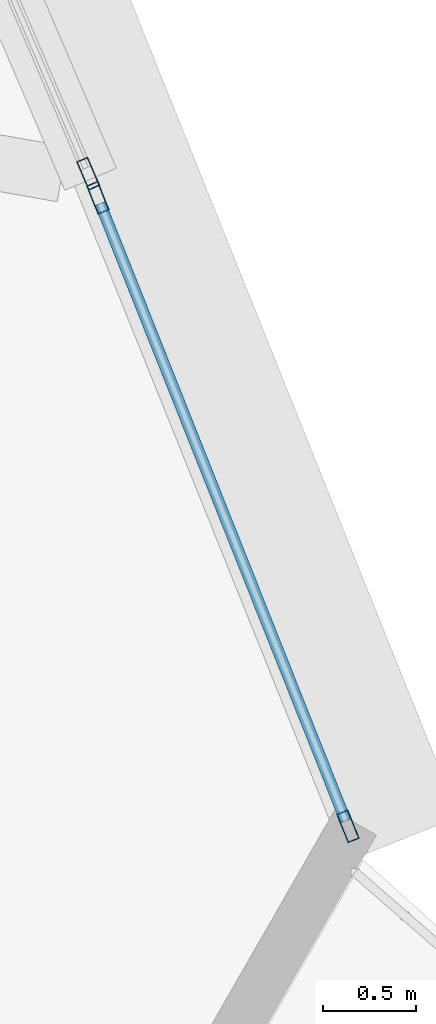
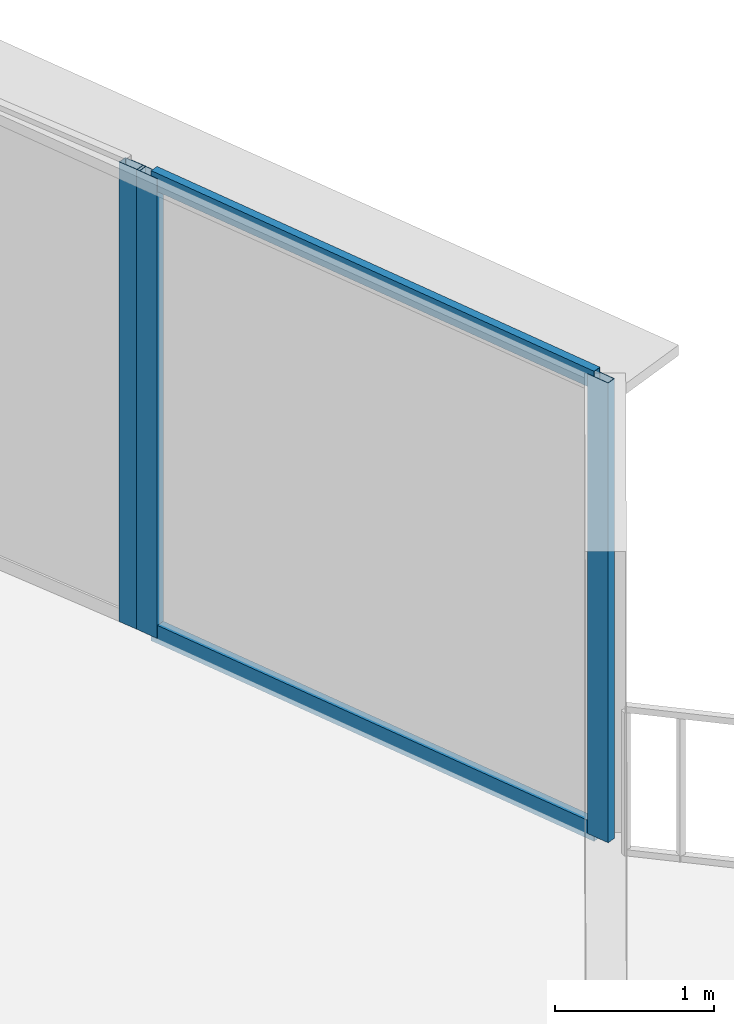
# One storey, part 22 of 37: 5 members, 2 elements without a shape of their own.
"""IFC4 building model written with IfcOpenShell, lengths in metres."""

from ifc_helpers import new_model, si_unit, direction, frame, origin, origin_2d, place, context, subcontext, project, spatial, hollow_rectangle, extrude, source, transform, mapped, material, layer, layer_set, material_profile, profile_set, type_object, element, aggregate, save


model = new_model("IFC4")

# Units and contexts
model_context = context("Model", 3, precision=1e-05, world=origin(), true_north=direction((0.0, 1.0)))
body_context = subcontext(model_context, "Body", "Model", "MODEL_VIEW")
ifc_project = project(units=[si_unit("LENGTHUNIT", "METRE"), si_unit("AREAUNIT", "SQUARE_METRE"), si_unit("VOLUMEUNIT", "CUBIC_METRE"), si_unit("PLANEANGLEUNIT", "RADIAN"), si_unit("MASSUNIT", "GRAM", prefix="KILO"), si_unit("THERMODYNAMICTEMPERATUREUNIT", "KELVIN"), si_unit("POWERUNIT", "WATT")], contexts=[model_context])

# Site, building, storey
site_placement = place(None, origin())
site = spatial("IfcSite", under=ifc_project, at=site_placement, CompositionType="ELEMENT")
building_placement = place(site_placement, origin())
building = spatial("IfcBuilding", under=site, at=building_placement, Name="Yunzhuo Pagoda Commons", CompositionType="ELEMENT")
storey_placement = place(building_placement, frame((0.0, 0.0, 84.97998046875)))
storey = spatial("IfcBuildingStorey", under=building, at=storey_placement, Name="L21", CompositionType="ELEMENT", Elevation=84.97998046875)

# Curtain wall, member
ifc_material = material(Name="Anodized aluminium 6063-T6", Category="aluminium")
ifc_layer = layer(ifc_material, 0.1650390625)
ifc_layer_set = layer_set([ifc_layer], Name="Anodized aluminium 6063-T6")
curtain_wall_type = type_object("IfcCurtainWallType", Name="CW-LOW Low-Zone Ribbon Curtain Wall", PredefinedType="NOTDEFINED", material=ifc_layer_set)
curtain_wall_1_placement = place(storey_placement, origin())
curtain_wall_1 = element("IfcCurtainWall", 1, at=curtain_wall_1_placement, inside=storey, type_object=curtain_wall_type, Name="L21 curtain wall CW-L21-F2B2", PredefinedType="NOTDEFINED")
ifc_material_profile_1 = material_profile(ifc_material, hollow_rectangle(XDim=0.06494140625, YDim=0.1650390625, WallThickness=0.00390625, at=origin_2d()), Name="Anodized aluminium 6063-T6")
ifc_profile_set_1 = profile_set([ifc_material_profile_1], Name="Anodized aluminium 6063-T6")
member_type_1 = type_object("IfcMemberType", Name="CW-LOW-M Mullion RHS 165x65x4", PredefinedType="MULLION", material=ifc_profile_set_1)
shared_shape_1 = source(origin(), body_context, "Body", "SweptSolid", [
    extrude(hollow_rectangle(XDim=0.06494140625, YDim=0.1650390625, WallThickness=0.00390625, at=origin_2d()), origin(), (0.0, 0.0, 1.0), 3.5400390625),
])
member_1_placement = place(storey_placement, frame((88.730224609375, 26.545654296875, 0.000244140625), z_axis=(0.0, 0.0, 1.0), x_axis=(-0.919250024103, -0.39367422215, 0.0)))
member_1 = element("IfcMember", 2, at=member_1_placement, type_object=member_type_1, Name="CW mullion 1", PredefinedType="MULLION", context=body_context, shape_type="MappedRepresentation", body=[
    mapped(shared_shape_1, transform((0.0, 0.0, 0.0), scale=1.0)),
])
aggregate(curtain_wall_1, [member_1])

# Curtain wall, members
curtain_wall_2_placement = place(storey_placement, origin())
curtain_wall_2 = element("IfcCurtainWall", 3, at=curtain_wall_2_placement, inside=storey, type_object=curtain_wall_type, Name="L21 curtain wall CW-L21-F2B1", PredefinedType="NOTDEFINED")
member_2_placement = place(storey_placement, frame((90.12255859375, 23.0478515625, 0.000244140625), z_axis=(0.0, 0.0, 1.0), x_axis=(-0.929170333828, -0.369651850711, 0.0)))
member_2 = element("IfcMember", 4, at=member_2_placement, type_object=member_type_1, Name="CW mullion 1", PredefinedType="MULLION", context=body_context, shape_type="MappedRepresentation", body=[
    mapped(shared_shape_1, transform((0.0, 0.0, 0.0), scale=1.0)),
])
member_3_placement = place(storey_placement, frame((88.782470703125, 26.416015625, 0.000244140625), z_axis=(0.0, 0.0, 1.0), x_axis=(-0.929170333828, -0.369651850711, 0.0)))
member_3 = element("IfcMember", 5, at=member_3_placement, type_object=member_type_1, Name="CW mullion 2", PredefinedType="MULLION", context=body_context, shape_type="MappedRepresentation", body=[
    mapped(shared_shape_1, transform((0.0, 0.0, 0.0), scale=1.0)),
])
ifc_material_profile_2 = material_profile(ifc_material, hollow_rectangle(XDim=0.06005859375, YDim=0.139892578125, WallThickness=0.00341796875, at=origin_2d()), Name="Anodized aluminium 6063-T6")
ifc_profile_set_2 = profile_set([ifc_material_profile_2], Name="Anodized aluminium 6063-T6")
member_type_2 = type_object("IfcMemberType", Name="CW-LOW-T Transom RHS 140x60x3.5", PredefinedType="USERDEFINED", material=ifc_profile_set_2)
shared_shape_2 = source(origin(), body_context, "Body", "SweptSolid", [
    extrude(hollow_rectangle(XDim=0.06005859375, YDim=0.139892578125, WallThickness=0.00341796875, at=origin_2d()), origin(), (0.0, 0.0, 1.0), 3.56005859375),
])
member_4_placement = place(storey_placement, frame((90.1103515625, 23.077880859375, 0.030029296875), z_axis=(-0.369640073305, 0.929175019147, 0.0), x_axis=(-0.929175019147, -0.369640073305, 0.0)))
member_4 = element("IfcMember", 6, at=member_4_placement, type_object=member_type_2, Name="CW transom 1.1", ObjectType="TRANSOM", PredefinedType="USERDEFINED", context=body_context, shape_type="MappedRepresentation", body=[
    mapped(shared_shape_2, transform((0.0, 0.0, 0.0), scale=1.0)),
])
member_5_placement = place(storey_placement, frame((90.1103515625, 23.077880859375, 3.510009765625), z_axis=(-0.369640073305, 0.929175019147, 0.0), x_axis=(-0.929175019147, -0.369640073305, 0.0)))
member_5 = element("IfcMember", 7, at=member_5_placement, type_object=member_type_2, Name="CW transom 1.2", ObjectType="TRANSOM", PredefinedType="USERDEFINED", context=body_context, shape_type="MappedRepresentation", body=[
    mapped(shared_shape_2, transform((0.0, 0.0, 0.0), scale=1.0)),
])
aggregate(curtain_wall_2, [member_2, member_3, member_4, member_5])

save(model, "model.ifc")
